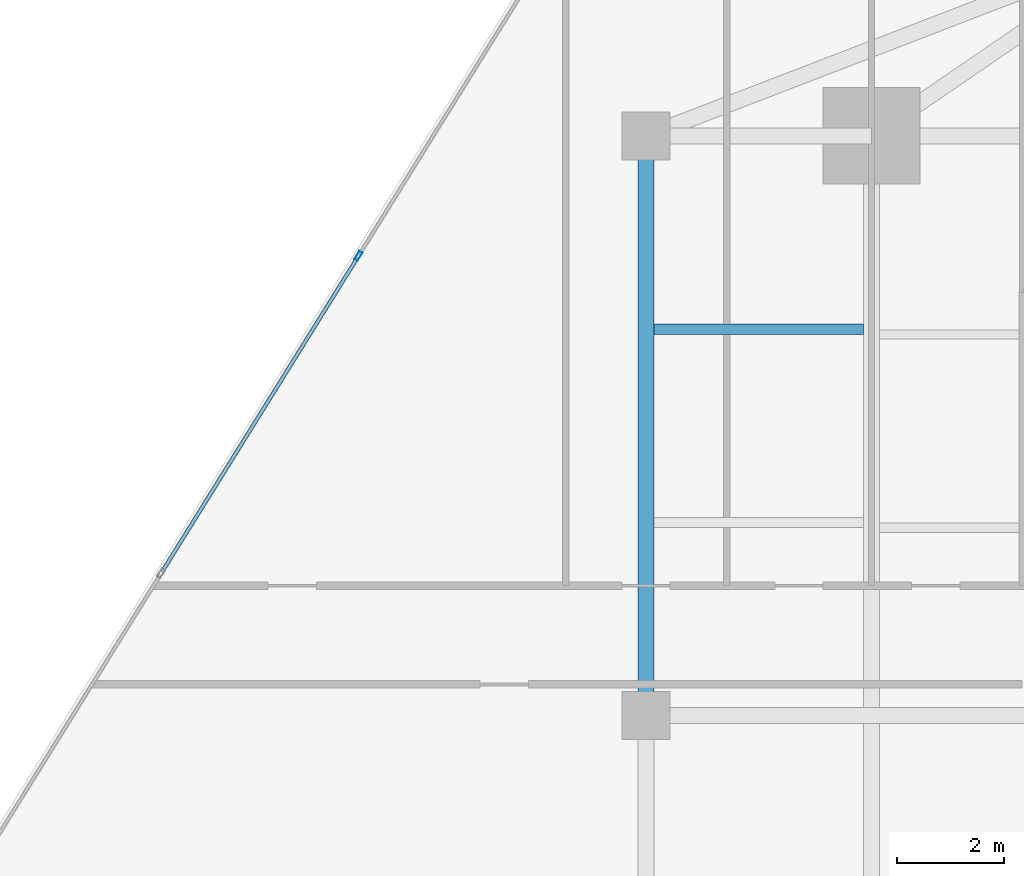
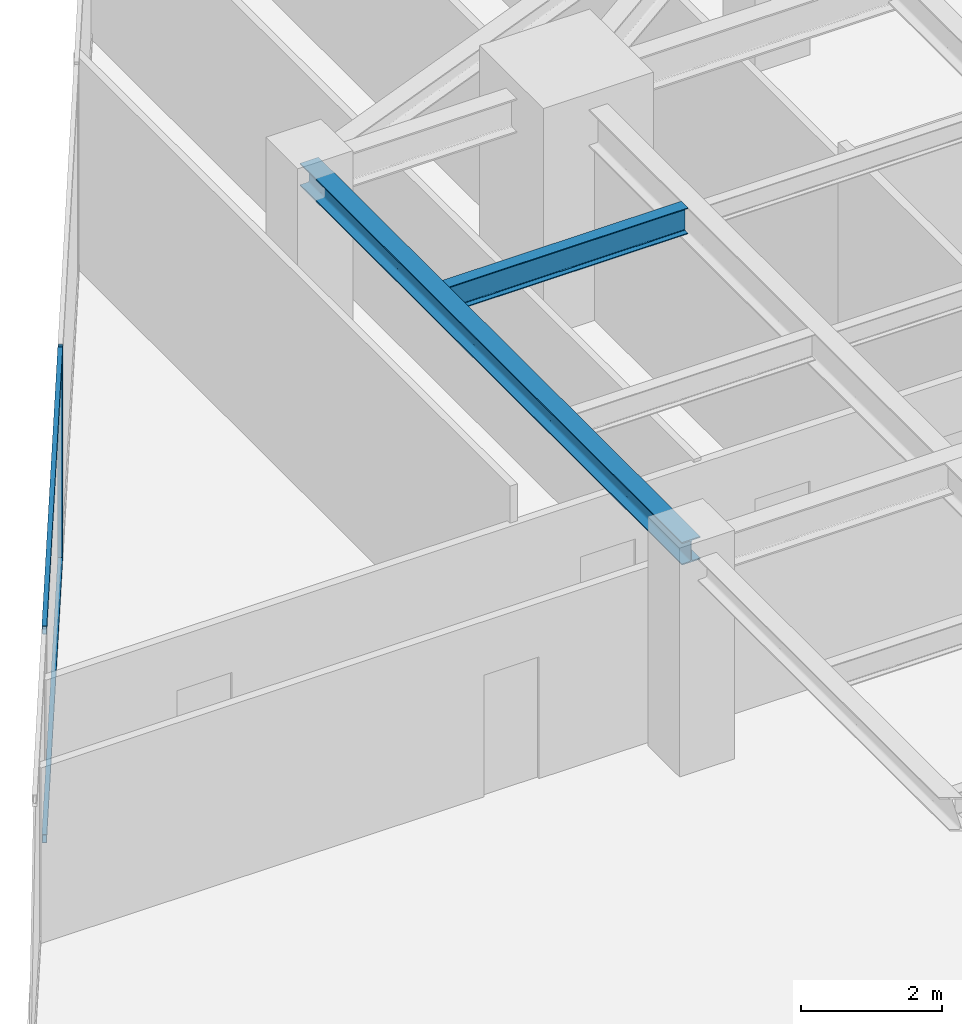
# One storey, part 12 of 25: 3 members, 2 beams, 1 element without a shape of its own.
"""IFC4 building model written with IfcOpenShell, lengths in metres."""

from ifc_helpers import new_model, si_unit, direction, frame, origin, origin_2d, place, context, subcontext, project, spatial, hollow_rectangle, i_section, extrude, source, transform, mapped, material, material_profile, profile_set, type_object, type_shapes, element, aggregate, save


model = new_model("IFC4")

# Units and contexts
model_context = context("Model", 3, precision=1e-05, world=origin(), true_north=direction((0.0, 1.0)))
body_context = subcontext(model_context, "Body", "Model", "MODEL_VIEW")
ifc_project = project(units=[si_unit("LENGTHUNIT", "METRE"), si_unit("AREAUNIT", "SQUARE_METRE"), si_unit("VOLUMEUNIT", "CUBIC_METRE"), si_unit("PLANEANGLEUNIT", "RADIAN"), si_unit("MASSUNIT", "GRAM", prefix="KILO")], contexts=[model_context])

# Site, building, storey
site_placement = place(None, origin())
site = spatial("IfcSite", under=ifc_project, at=site_placement, CompositionType="ELEMENT")
building_placement = place(site_placement, origin())
building = spatial("IfcBuilding", under=site, at=building_placement, Name="Krantzveldt Concourse Tower", CompositionType="ELEMENT")
storey_placement = place(building_placement, frame((0.0, 0.0, 181.75)))
storey = spatial("IfcBuildingStorey", under=building, at=storey_placement, Name="L44", CompositionType="ELEMENT", Elevation=181.75)

# Beams
ifc_material_1 = material(Name="Steel S355JR", Category="steel")
ifc_material_profile_1 = material_profile(ifc_material_1, i_section(OverallWidth=0.300048828125, OverallDepth=0.389892578125, WebThickness=0.010986328125, FlangeThickness=0.01904296875, FilletRadius=0.027099609375, at=origin_2d()), Name="Steel S355JR", Category="steel")
ifc_profile_set_1 = profile_set([ifc_material_profile_1], Name="Steel S355JR - HEA 400")
beam_type_1 = type_object("IfcBeamType", Name="BM-SP-HEA400", PredefinedType="SPANDREL", material=ifc_profile_set_1)
shared_shape_1 = source(origin(), body_context, "Body", "SweptSolid", [
    extrude(i_section(OverallWidth=0.300048828125, OverallDepth=0.389892578125, WebThickness=0.010986328125, FlangeThickness=0.01904296875, FilletRadius=0.027099609375, at=origin_2d()), origin(), (0.0, 0.0, 1.0), 10.800048828125),
])
type_shapes(beam_type_1, [shared_shape_1])
beam_1_placement = place(storey_placement, frame((21.0, 26.699951171875, 3.47509765625), z_axis=(0.0, 1.0, 0.0), x_axis=(-1.0, 0.0, 0.0)))
element("IfcBeam", 1, at=beam_1_placement, inside=storey, type_object=beam_type_1, Name="L44 Tower Girder SP-R02", PredefinedType="SPANDREL", context=body_context, shape_type="MappedRepresentation", body=[
    mapped(shared_shape_1, transform((0.0, 0.0, 0.0), x_axis=(1.0, 0.0, 0.0), y_axis=(0.0, 1.0, 0.0), z_axis=(0.0, 0.0, 1.0), scale=1.0)),
])
ifc_material_profile_2 = material_profile(ifc_material_1, i_section(OverallWidth=0.18994140625, OverallDepth=0.449951171875, WebThickness=0.009521484375, FlangeThickness=0.0146484375, FilletRadius=0.02099609375, at=origin_2d()), Name="Steel S355JR", Category="steel")
ifc_profile_set_2 = profile_set([ifc_material_profile_2], Name="Steel S355JR - IPE 450")
beam_type_2 = type_object("IfcBeamType", Name="BM-J-IPE450", PredefinedType="JOIST", material=ifc_profile_set_2)
shared_shape_2 = source(origin(), body_context, "Body", "SweptSolid", [
    extrude(i_section(OverallWidth=0.18994140625, OverallDepth=0.449951171875, WebThickness=0.009521484375, FlangeThickness=0.0146484375, FilletRadius=0.02099609375, at=origin_2d()), origin(), (0.0, 0.0, 1.0), 3.900146484375),
])
type_shapes(beam_type_2, [shared_shape_2])
beam_2_placement = place(storey_placement, frame((21.14990234375, 33.89990234375, 3.445068359375), z_axis=(1.0, 0.0, 0.0), x_axis=(0.0, 1.0, 0.0)))
element("IfcBeam", 2, at=beam_2_placement, inside=storey, type_object=beam_type_2, Name="L44 Secondary Floor Joist JW-4", PredefinedType="JOIST", context=body_context, shape_type="MappedRepresentation", body=[
    mapped(shared_shape_2, transform((0.0, 0.0, 0.0), x_axis=(1.0, 0.0, 0.0), y_axis=(0.0, 1.0, 0.0), z_axis=(0.0, 0.0, 1.0), scale=1.0)),
])

# Curtain wall, members
ifc_material_2 = material(Name="Anodised aluminium 6063-T6", Category="aluminium")
curtain_wall_type = type_object("IfcCurtainWallType", Name="CW3", PredefinedType="USERDEFINED", material=ifc_material_2)
curtain_wall_placement = place(storey_placement, origin())
curtain_wall = element("IfcCurtainWall", 3, at=curtain_wall_placement, inside=storey, type_object=curtain_wall_type, Name="CW-L44-F01", ObjectType="UNITISED CURTAIN WALL", PredefinedType="USERDEFINED")
ifc_material_profile_3 = material_profile(ifc_material_2, hollow_rectangle(XDim=0.070068359375, YDim=0.179931640625, WallThickness=0.0048828125, at=origin_2d()), Name="Anodised aluminium 6063-T6", Category="aluminium")
ifc_profile_set_3 = profile_set([ifc_material_profile_3], Name="Anodised aluminium 6063-T6 - ALU-MULL 180x70x5")
member_type_1 = type_object("IfcMemberType", Name="CW-MUL-180", PredefinedType="MULLION", material=ifc_profile_set_3)
shared_shape_3 = source(origin(), body_context, "Body", "SweptSolid", [
    extrude(hollow_rectangle(XDim=0.070068359375, YDim=0.179931640625, WallThickness=0.0048828125, at=origin_2d()), origin(), (0.0, 0.0, 1.0), 3.669921875),
])
type_shapes(member_type_1, [shared_shape_3])
member_1_placement = place(storey_placement, frame((15.64111328125, 35.261962890625, 0.0), z_axis=(0.0, 0.0, 1.0), x_axis=(0.84920214961, -0.528067901977, 0.0)))
member_1 = element("IfcMember", 4, at=member_1_placement, type_object=member_type_1, Name="CW-Z34 mullion 4", PredefinedType="MULLION", context=body_context, shape_type="MappedRepresentation", body=[
    mapped(shared_shape_3, transform((0.0, 0.0, 0.0), x_axis=(1.0, 0.0, 0.0), y_axis=(0.0, 1.0, 0.0), z_axis=(0.0, 0.0, 1.0), scale=1.0)),
])
ifc_material_profile_4 = material_profile(ifc_material_2, hollow_rectangle(XDim=0.070068359375, YDim=0.139892578125, WallThickness=0.0048828125, at=origin_2d()), Name="Anodised aluminium 6063-T6", Category="aluminium")
ifc_profile_set_4 = profile_set([ifc_material_profile_4], Name="Anodised aluminium 6063-T6 - ALU-TRAN 140x70x5")
member_type_2 = type_object("IfcMemberType", Name="CW-TRN-150", PredefinedType="USERDEFINED", material=ifc_profile_set_4)
shared_shape_4 = source(origin(), body_context, "Body", "SweptSolid", [
    extrude(hollow_rectangle(XDim=0.070068359375, YDim=0.139892578125, WallThickness=0.0048828125, at=origin_2d()), origin(), (0.0, 0.0, 1.0), 6.89013671875),
])
type_shapes(member_type_2, [shared_shape_4])
member_2_placement = place(storey_placement, frame((15.622802734375, 35.232177734375, 0.034912109375), z_axis=(-0.528067429464, -0.849202443437, 0.0), x_axis=(0.849202443437, -0.528067429464, 0.0)))
member_2 = element("IfcMember", 5, at=member_2_placement, type_object=member_type_2, Name="CW-Z34 transom 4.1", ObjectType="TRANSOM", PredefinedType="USERDEFINED", context=body_context, shape_type="MappedRepresentation", body=[
    mapped(shared_shape_4, transform((0.0, 0.0, 0.0), x_axis=(1.0, 0.0, 0.0), y_axis=(0.0, 1.0, 0.0), z_axis=(0.0, 0.0, 1.0), scale=1.0)),
])
member_3_placement = place(storey_placement, frame((15.622802734375, 35.232177734375, 3.635009765625), z_axis=(-0.528067429464, -0.849202443437, 0.0), x_axis=(0.849202443437, -0.528067429464, 0.0)))
member_3 = element("IfcMember", 6, at=member_3_placement, type_object=member_type_2, Name="CW-Z34 transom 4.2", ObjectType="TRANSOM", PredefinedType="USERDEFINED", context=body_context, shape_type="MappedRepresentation", body=[
    mapped(shared_shape_4, transform((0.0, 0.0, 0.0), x_axis=(1.0, 0.0, 0.0), y_axis=(0.0, 1.0, 0.0), z_axis=(0.0, 0.0, 1.0), scale=1.0)),
])
aggregate(curtain_wall, [member_1, member_2, member_3])

save(model, "model.ifc")
